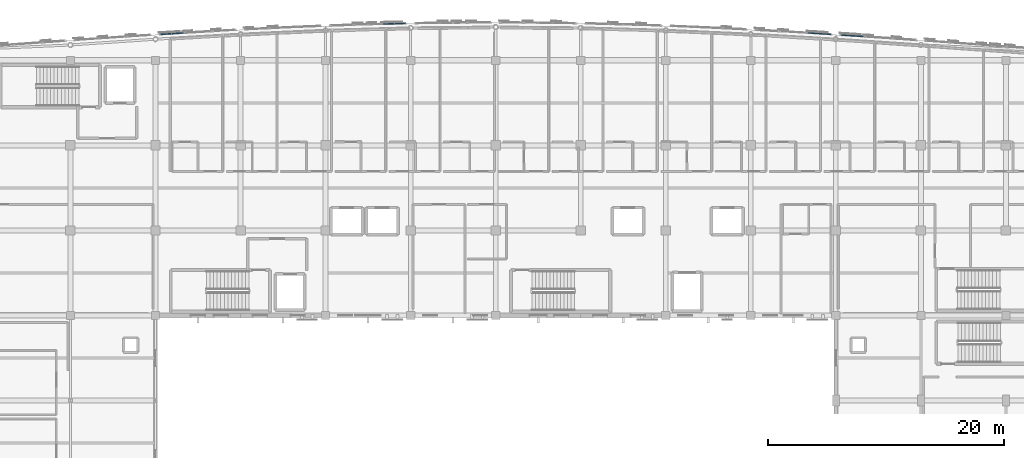
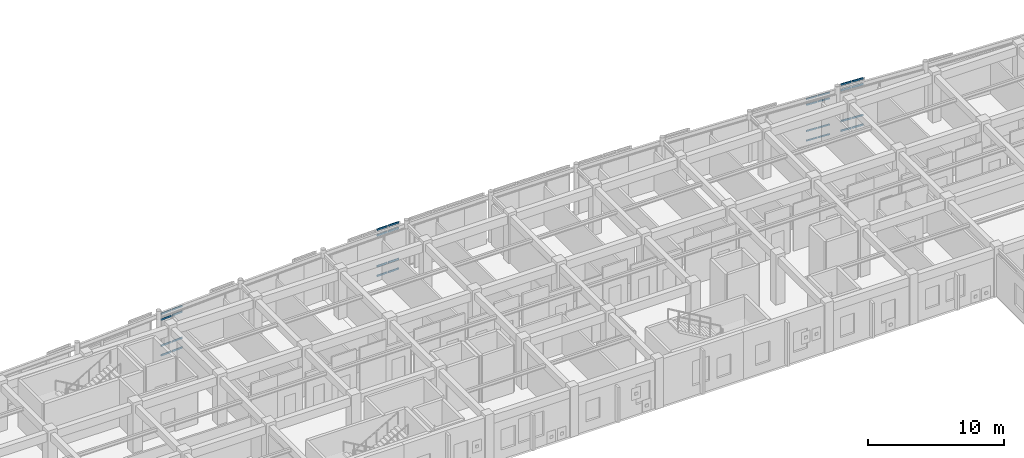
# One storey, part 57 of 106: 32 members, 4 elements without a shape of their own.
"""IFC4 building model written with IfcOpenShell, lengths in metres."""

from ifc_helpers import new_model, si_unit, direction, frame, origin, origin_2d, place, context, subcontext, project, spatial, hollow_rectangle, extrude, material, layer, layer_set, material_profile, profile_set, type_object, element, aggregate, save


model = new_model("IFC4")

# Units and contexts
model_context = context("Model", 3, precision=1e-05, world=origin(), true_north=direction((0.0, 1.0)))
body_context = subcontext(model_context, "Body", "Model", "MODEL_VIEW")
ifc_project = project(units=[si_unit("LENGTHUNIT", "METRE"), si_unit("AREAUNIT", "SQUARE_METRE"), si_unit("VOLUMEUNIT", "CUBIC_METRE"), si_unit("PLANEANGLEUNIT", "RADIAN"), si_unit("MASSUNIT", "GRAM", prefix="KILO")], contexts=[model_context])

# Site, building, storey
site_placement = place(None, origin())
site = spatial("IfcSite", under=ifc_project, at=site_placement, CompositionType="ELEMENT")
building_placement = place(site_placement, origin())
building = spatial("IfcBuilding", under=site, at=building_placement, Name="Carrowvane Square Congress Hotel", CompositionType="ELEMENT")
storey_placement = place(building_placement, frame((0.0, 0.0, 10.5)))
storey = spatial("IfcBuildingStorey", under=building, at=storey_placement, Name="L02", CompositionType="ELEMENT", Elevation=10.5)

# Curtain wall, members
ifc_material_1 = material(Name="Anodised aluminium", Category="aluminium")
ifc_layer_1 = layer(ifc_material_1, 0.23388671875)
ifc_layer_set_1 = layer_set([ifc_layer_1], Name="Anodised aluminium")
curtain_wall_type_1 = type_object("IfcCurtainWallType", Name="CW-SYS-7", PredefinedType="NOTDEFINED", material=ifc_layer_set_1)
curtain_wall_1_placement = place(storey_placement, origin())
curtain_wall_1 = element("IfcCurtainWall", 1, at=curtain_wall_1_placement, inside=storey, type_object=curtain_wall_type_1, Name="L02 unitised curtain wall 166", PredefinedType="NOTDEFINED")
ifc_material_2 = material(Name="Anodised aluminium", Category="aluminium")
ifc_material_profile_1 = material_profile(ifc_material_2, hollow_rectangle(XDim=0.06005859375, YDim=0.1298828125, WallThickness=0.00390625, at=origin_2d()), Name="CW-TR 60x130x4")
ifc_profile_set_1 = profile_set([ifc_material_profile_1], Name="Anodised aluminium")
member_type_1 = type_object("IfcMemberType", Name="CW-TRN-1", PredefinedType="USERDEFINED", material=ifc_profile_set_1)
member_1_placement = place(storey_placement, frame((124.4599609375, 115.720703125, 0.030029296875), z_axis=(0.998038282592, -0.062606600929, 0.0), x_axis=(0.062606600929, 0.998038282592, 0.0)))
member_1 = element("IfcMember", 2, at=member_1_placement, type_object=member_type_1, Name="CW-7 transom 1.1", ObjectType="TRANSOM", PredefinedType="USERDEFINED", context=body_context, shape_type="SweptSolid", body=[
    extrude(hollow_rectangle(XDim=0.06005859375, YDim=0.1298828125, WallThickness=0.00390625, at=origin_2d()), origin(), (0.0, 0.0, 1.0), 0.931884765625),
])
member_2_placement = place(storey_placement, frame((124.4599609375, 115.720703125, 0.89990234375), z_axis=(0.998038282592, -0.062606600929, 0.0), x_axis=(0.062606600929, 0.998038282592, 0.0)))
member_2 = element("IfcMember", 3, at=member_2_placement, type_object=member_type_1, Name="CW-7 transom 1.2", ObjectType="TRANSOM", PredefinedType="USERDEFINED", context=body_context, shape_type="SweptSolid", body=[
    extrude(hollow_rectangle(XDim=0.06005859375, YDim=0.1298828125, WallThickness=0.00390625, at=origin_2d()), origin(), (0.0, 0.0, 1.0), 0.931884765625),
])
member_3_placement = place(storey_placement, frame((124.4599609375, 115.720703125, 3.24560546875), z_axis=(0.998038282592, -0.062606600929, 0.0), x_axis=(0.062606600929, 0.998038282592, 0.0)))
member_3 = element("IfcMember", 4, at=member_3_placement, type_object=member_type_1, Name="CW-7 transom 1.3", ObjectType="TRANSOM", PredefinedType="USERDEFINED", context=body_context, shape_type="SweptSolid", body=[
    extrude(hollow_rectangle(XDim=0.06005859375, YDim=0.1298828125, WallThickness=0.00390625, at=origin_2d()), origin(), (0.0, 0.0, 1.0), 0.931884765625),
])
member_4_placement = place(storey_placement, frame((124.4599609375, 115.720703125, 3.765625), z_axis=(0.998038282592, -0.062606600929, 0.0), x_axis=(0.062606600929, 0.998038282592, 0.0)))
member_4 = element("IfcMember", 5, at=member_4_placement, type_object=member_type_1, Name="CW-7 transom 1.4", ObjectType="TRANSOM", PredefinedType="USERDEFINED", context=body_context, shape_type="SweptSolid", body=[
    extrude(hollow_rectangle(XDim=0.06005859375, YDim=0.1298828125, WallThickness=0.00390625, at=origin_2d()), origin(), (0.0, 0.0, 1.0), 0.931884765625),
])
member_5_placement = place(storey_placement, frame((125.449951171875, 115.65869140625, 0.030029296875), z_axis=(0.998054616523, -0.062345668959, 0.0), x_axis=(0.062345668959, 0.998054616523, 0.0)))
member_5 = element("IfcMember", 6, at=member_5_placement, type_object=member_type_1, Name="CW-7 transom 2.1", ObjectType="TRANSOM", PredefinedType="USERDEFINED", context=body_context, shape_type="SweptSolid", body=[
    extrude(hollow_rectangle(XDim=0.06005859375, YDim=0.1298828125, WallThickness=0.00390625, at=origin_2d()), origin(), (0.0, 0.0, 1.0), 0.931884765625),
])
member_6_placement = place(storey_placement, frame((125.449951171875, 115.65869140625, 0.89990234375), z_axis=(0.998054616523, -0.062345668959, 0.0), x_axis=(0.062345668959, 0.998054616523, 0.0)))
member_6 = element("IfcMember", 7, at=member_6_placement, type_object=member_type_1, Name="CW-7 transom 2.2", ObjectType="TRANSOM", PredefinedType="USERDEFINED", context=body_context, shape_type="SweptSolid", body=[
    extrude(hollow_rectangle(XDim=0.06005859375, YDim=0.1298828125, WallThickness=0.00390625, at=origin_2d()), origin(), (0.0, 0.0, 1.0), 0.931884765625),
])
member_7_placement = place(storey_placement, frame((125.449951171875, 115.65869140625, 3.24560546875), z_axis=(0.998054616523, -0.062345668959, 0.0), x_axis=(0.062345668959, 0.998054616523, 0.0)))
member_7 = element("IfcMember", 8, at=member_7_placement, type_object=member_type_1, Name="CW-7 transom 2.3", ObjectType="TRANSOM", PredefinedType="USERDEFINED", context=body_context, shape_type="SweptSolid", body=[
    extrude(hollow_rectangle(XDim=0.06005859375, YDim=0.1298828125, WallThickness=0.00390625, at=origin_2d()), origin(), (0.0, 0.0, 1.0), 0.931884765625),
])
member_8_placement = place(storey_placement, frame((125.449951171875, 115.65869140625, 3.765625), z_axis=(0.998054616523, -0.062345668959, 0.0), x_axis=(0.062345668959, 0.998054616523, 0.0)))
member_8 = element("IfcMember", 9, at=member_8_placement, type_object=member_type_1, Name="CW-7 transom 2.4", ObjectType="TRANSOM", PredefinedType="USERDEFINED", context=body_context, shape_type="SweptSolid", body=[
    extrude(hollow_rectangle(XDim=0.06005859375, YDim=0.1298828125, WallThickness=0.00390625, at=origin_2d()), origin(), (0.0, 0.0, 1.0), 0.931884765625),
])
aggregate(curtain_wall_1, [member_1, member_2, member_3, member_4, member_5, member_6, member_7, member_8])

ifc_material_3 = material(Name="Anodised aluminium", Category="aluminium")
ifc_layer_2 = layer(ifc_material_3, 0.24609375)
ifc_layer_set_2 = layer_set([ifc_layer_2], Name="Anodised aluminium")
curtain_wall_type_2 = type_object("IfcCurtainWallType", Name="CW-SYS-8", PredefinedType="NOTDEFINED", material=ifc_layer_set_2)
curtain_wall_2_placement = place(storey_placement, origin())
curtain_wall_2 = element("IfcCurtainWall", 10, at=curtain_wall_2_placement, inside=storey, type_object=curtain_wall_type_2, Name="L02 unitised curtain wall 143", PredefinedType="NOTDEFINED")
ifc_material_4 = material(Name="Anodised aluminium", Category="aluminium")
ifc_material_profile_2 = material_profile(ifc_material_4, hollow_rectangle(XDim=0.070068359375, YDim=0.14990234375, WallThickness=0.0048828125, at=origin_2d()), Name="CW-TR 70x150x5")
ifc_profile_set_2 = profile_set([ifc_material_profile_2], Name="Anodised aluminium")
member_type_2 = type_object("IfcMemberType", Name="CW-TRN-2", PredefinedType="USERDEFINED", material=ifc_profile_set_2)
member_9_placement = place(storey_placement, frame((69.6298828125, 115.60107421875, 0.034912109375), z_axis=(0.998041167403, 0.062560595983, 0.0), x_axis=(-0.062560595983, 0.998041167403, 0.0)))
member_9 = element("IfcMember", 11, at=member_9_placement, type_object=member_type_2, Name="CW-8 transom 1.1", ObjectType="TRANSOM", PredefinedType="USERDEFINED", context=body_context, shape_type="SweptSolid", body=[
    extrude(hollow_rectangle(XDim=0.070068359375, YDim=0.14990234375, WallThickness=0.0048828125, at=origin_2d()), origin(), (0.0, 0.0, 1.0), 0.9169921875),
])
member_10_placement = place(storey_placement, frame((69.6298828125, 115.60107421875, 0.89990234375), z_axis=(0.998041167403, 0.062560595983, 0.0), x_axis=(-0.062560595983, 0.998041167403, 0.0)))
member_10 = element("IfcMember", 12, at=member_10_placement, type_object=member_type_2, Name="CW-8 transom 1.2", ObjectType="TRANSOM", PredefinedType="USERDEFINED", context=body_context, shape_type="SweptSolid", body=[
    extrude(hollow_rectangle(XDim=0.070068359375, YDim=0.14990234375, WallThickness=0.0048828125, at=origin_2d()), origin(), (0.0, 0.0, 1.0), 0.9169921875),
])
member_11_placement = place(storey_placement, frame((69.6298828125, 115.60107421875, 3.24560546875), z_axis=(0.998041167403, 0.062560595983, 0.0), x_axis=(-0.062560595983, 0.998041167403, 0.0)))
member_11 = element("IfcMember", 13, at=member_11_placement, type_object=member_type_2, Name="CW-8 transom 1.3", ObjectType="TRANSOM", PredefinedType="USERDEFINED", context=body_context, shape_type="SweptSolid", body=[
    extrude(hollow_rectangle(XDim=0.070068359375, YDim=0.14990234375, WallThickness=0.0048828125, at=origin_2d()), origin(), (0.0, 0.0, 1.0), 0.9169921875),
])
member_12_placement = place(storey_placement, frame((69.6298828125, 115.60107421875, 3.760498046875), z_axis=(0.998041167403, 0.062560595983, 0.0), x_axis=(-0.062560595983, 0.998041167403, 0.0)))
member_12 = element("IfcMember", 14, at=member_12_placement, type_object=member_type_2, Name="CW-8 transom 1.4", ObjectType="TRANSOM", PredefinedType="USERDEFINED", context=body_context, shape_type="SweptSolid", body=[
    extrude(hollow_rectangle(XDim=0.070068359375, YDim=0.14990234375, WallThickness=0.0048828125, at=origin_2d()), origin(), (0.0, 0.0, 1.0), 0.9169921875),
])
member_13_placement = place(storey_placement, frame((70.614990234375, 115.662841796875, 0.034912109375), z_axis=(0.998056720879, 0.062311972435, 0.0), x_axis=(-0.062311972435, 0.998056720879, 0.0)))
member_13 = element("IfcMember", 15, at=member_13_placement, type_object=member_type_2, Name="CW-8 transom 2.1", ObjectType="TRANSOM", PredefinedType="USERDEFINED", context=body_context, shape_type="SweptSolid", body=[
    extrude(hollow_rectangle(XDim=0.070068359375, YDim=0.14990234375, WallThickness=0.0048828125, at=origin_2d()), origin(), (0.0, 0.0, 1.0), 0.916748046875),
])
member_14_placement = place(storey_placement, frame((70.614990234375, 115.662841796875, 0.89990234375), z_axis=(0.998056720879, 0.062311972435, 0.0), x_axis=(-0.062311972435, 0.998056720879, 0.0)))
member_14 = element("IfcMember", 16, at=member_14_placement, type_object=member_type_2, Name="CW-8 transom 2.2", ObjectType="TRANSOM", PredefinedType="USERDEFINED", context=body_context, shape_type="SweptSolid", body=[
    extrude(hollow_rectangle(XDim=0.070068359375, YDim=0.14990234375, WallThickness=0.0048828125, at=origin_2d()), origin(), (0.0, 0.0, 1.0), 0.916748046875),
])
member_15_placement = place(storey_placement, frame((70.614990234375, 115.662841796875, 3.24560546875), z_axis=(0.998056720879, 0.062311972435, 0.0), x_axis=(-0.062311972435, 0.998056720879, 0.0)))
member_15 = element("IfcMember", 17, at=member_15_placement, type_object=member_type_2, Name="CW-8 transom 2.3", ObjectType="TRANSOM", PredefinedType="USERDEFINED", context=body_context, shape_type="SweptSolid", body=[
    extrude(hollow_rectangle(XDim=0.070068359375, YDim=0.14990234375, WallThickness=0.0048828125, at=origin_2d()), origin(), (0.0, 0.0, 1.0), 0.916748046875),
])
member_16_placement = place(storey_placement, frame((70.614990234375, 115.662841796875, 3.760498046875), z_axis=(0.998056720879, 0.062311972435, 0.0), x_axis=(-0.062311972435, 0.998056720879, 0.0)))
member_16 = element("IfcMember", 18, at=member_16_placement, type_object=member_type_2, Name="CW-8 transom 2.4", ObjectType="TRANSOM", PredefinedType="USERDEFINED", context=body_context, shape_type="SweptSolid", body=[
    extrude(hollow_rectangle(XDim=0.070068359375, YDim=0.14990234375, WallThickness=0.0048828125, at=origin_2d()), origin(), (0.0, 0.0, 1.0), 0.916748046875),
])
aggregate(curtain_wall_2, [member_9, member_10, member_11, member_12, member_13, member_14, member_15, member_16])

curtain_wall_3_placement = place(storey_placement, origin())
curtain_wall_3 = element("IfcCurtainWall", 19, at=curtain_wall_3_placement, inside=storey, type_object=curtain_wall_type_2, Name="L02 unitised curtain wall 151", PredefinedType="NOTDEFINED")
member_17_placement = place(storey_placement, frame((88.469970703125, 116.477294921875, 0.034912109375), z_axis=(0.999746023727, 0.022536371529, 0.0), x_axis=(-0.022536371529, 0.999746023727, 0.0)))
member_17 = element("IfcMember", 20, at=member_17_placement, type_object=member_type_2, Name="CW-8 transom 1.1", ObjectType="TRANSOM", PredefinedType="USERDEFINED", context=body_context, shape_type="SweptSolid", body=[
    extrude(hollow_rectangle(XDim=0.070068359375, YDim=0.14990234375, WallThickness=0.0048828125, at=origin_2d()), origin(), (0.0, 0.0, 1.0), 0.899169921875),
])
member_18_placement = place(storey_placement, frame((88.469970703125, 116.477294921875, 0.89990234375), z_axis=(0.999746023727, 0.022536371529, 0.0), x_axis=(-0.022536371529, 0.999746023727, 0.0)))
member_18 = element("IfcMember", 21, at=member_18_placement, type_object=member_type_2, Name="CW-8 transom 1.2", ObjectType="TRANSOM", PredefinedType="USERDEFINED", context=body_context, shape_type="SweptSolid", body=[
    extrude(hollow_rectangle(XDim=0.070068359375, YDim=0.14990234375, WallThickness=0.0048828125, at=origin_2d()), origin(), (0.0, 0.0, 1.0), 0.899169921875),
])
member_19_placement = place(storey_placement, frame((88.469970703125, 116.477294921875, 3.669921875), z_axis=(0.999746023727, 0.022536371529, 0.0), x_axis=(-0.022536371529, 0.999746023727, 0.0)))
member_19 = element("IfcMember", 22, at=member_19_placement, type_object=member_type_2, Name="CW-8 transom 1.3", ObjectType="TRANSOM", PredefinedType="USERDEFINED", context=body_context, shape_type="SweptSolid", body=[
    extrude(hollow_rectangle(XDim=0.070068359375, YDim=0.14990234375, WallThickness=0.0048828125, at=origin_2d()), origin(), (0.0, 0.0, 1.0), 0.899169921875),
])
member_20_placement = place(storey_placement, frame((88.469970703125, 116.477294921875, 4.18505859375), z_axis=(0.999746023727, 0.022536371529, 0.0), x_axis=(-0.022536371529, 0.999746023727, 0.0)))
member_20 = element("IfcMember", 23, at=member_20_placement, type_object=member_type_2, Name="CW-8 transom 1.4", ObjectType="TRANSOM", PredefinedType="USERDEFINED", context=body_context, shape_type="SweptSolid", body=[
    extrude(hollow_rectangle(XDim=0.070068359375, YDim=0.14990234375, WallThickness=0.0048828125, at=origin_2d()), origin(), (0.0, 0.0, 1.0), 0.899169921875),
])
member_21_placement = place(storey_placement, frame((89.438720703125, 116.4990234375, 0.034912109375), z_axis=(0.999746023727, 0.022536371529, 0.0), x_axis=(-0.022536371529, 0.999746023727, 0.0)))
member_21 = element("IfcMember", 24, at=member_21_placement, type_object=member_type_2, Name="CW-8 transom 2.1", ObjectType="TRANSOM", PredefinedType="USERDEFINED", context=body_context, shape_type="SweptSolid", body=[
    extrude(hollow_rectangle(XDim=0.070068359375, YDim=0.14990234375, WallThickness=0.0048828125, at=origin_2d()), origin(), (0.0, 0.0, 1.0), 0.899169921875),
])
member_22_placement = place(storey_placement, frame((89.438720703125, 116.4990234375, 0.89990234375), z_axis=(0.999746023727, 0.022536371529, 0.0), x_axis=(-0.022536371529, 0.999746023727, 0.0)))
member_22 = element("IfcMember", 25, at=member_22_placement, type_object=member_type_2, Name="CW-8 transom 2.2", ObjectType="TRANSOM", PredefinedType="USERDEFINED", context=body_context, shape_type="SweptSolid", body=[
    extrude(hollow_rectangle(XDim=0.070068359375, YDim=0.14990234375, WallThickness=0.0048828125, at=origin_2d()), origin(), (0.0, 0.0, 1.0), 0.899169921875),
])
member_23_placement = place(storey_placement, frame((89.438720703125, 116.4990234375, 3.669921875), z_axis=(0.999746023727, 0.022536371529, 0.0), x_axis=(-0.022536371529, 0.999746023727, 0.0)))
member_23 = element("IfcMember", 26, at=member_23_placement, type_object=member_type_2, Name="CW-8 transom 2.3", ObjectType="TRANSOM", PredefinedType="USERDEFINED", context=body_context, shape_type="SweptSolid", body=[
    extrude(hollow_rectangle(XDim=0.070068359375, YDim=0.14990234375, WallThickness=0.0048828125, at=origin_2d()), origin(), (0.0, 0.0, 1.0), 0.899169921875),
])
member_24_placement = place(storey_placement, frame((89.438720703125, 116.4990234375, 4.18505859375), z_axis=(0.999746023727, 0.022536371529, 0.0), x_axis=(-0.022536371529, 0.999746023727, 0.0)))
member_24 = element("IfcMember", 27, at=member_24_placement, type_object=member_type_2, Name="CW-8 transom 2.4", ObjectType="TRANSOM", PredefinedType="USERDEFINED", context=body_context, shape_type="SweptSolid", body=[
    extrude(hollow_rectangle(XDim=0.070068359375, YDim=0.14990234375, WallThickness=0.0048828125, at=origin_2d()), origin(), (0.0, 0.0, 1.0), 0.899169921875),
])
aggregate(curtain_wall_3, [member_17, member_18, member_19, member_20, member_21, member_22, member_23, member_24])

curtain_wall_4_placement = place(storey_placement, origin())
curtain_wall_4 = element("IfcCurtainWall", 28, at=curtain_wall_4_placement, inside=storey, type_object=curtain_wall_type_2, Name="L02 unitised curtain wall 167", PredefinedType="NOTDEFINED")
member_25_placement = place(storey_placement, frame((127.2783203125, 115.54296875, 0.034912109375), z_axis=(0.997861922188, -0.065357358017, 0.0), x_axis=(0.065357358017, 0.997861922188, 0.0)))
member_25 = element("IfcMember", 29, at=member_25_placement, type_object=member_type_2, Name="CW-8 transom 1.1", ObjectType="TRANSOM", PredefinedType="USERDEFINED", context=body_context, shape_type="SweptSolid", body=[
    extrude(hollow_rectangle(XDim=0.070068359375, YDim=0.14990234375, WallThickness=0.0048828125, at=origin_2d()), origin(), (0.0, 0.0, 1.0), 0.892822265625),
])
member_26_placement = place(storey_placement, frame((127.2783203125, 115.54296875, 0.89990234375), z_axis=(0.997861922188, -0.065357358017, 0.0), x_axis=(0.065357358017, 0.997861922188, 0.0)))
member_26 = element("IfcMember", 30, at=member_26_placement, type_object=member_type_2, Name="CW-8 transom 1.2", ObjectType="TRANSOM", PredefinedType="USERDEFINED", context=body_context, shape_type="SweptSolid", body=[
    extrude(hollow_rectangle(XDim=0.070068359375, YDim=0.14990234375, WallThickness=0.0048828125, at=origin_2d()), origin(), (0.0, 0.0, 1.0), 0.892822265625),
])
member_27_placement = place(storey_placement, frame((127.2783203125, 115.54296875, 3.669921875), z_axis=(0.997861922188, -0.065357358017, 0.0), x_axis=(0.065357358017, 0.997861922188, 0.0)))
member_27 = element("IfcMember", 31, at=member_27_placement, type_object=member_type_2, Name="CW-8 transom 1.3", ObjectType="TRANSOM", PredefinedType="USERDEFINED", context=body_context, shape_type="SweptSolid", body=[
    extrude(hollow_rectangle(XDim=0.070068359375, YDim=0.14990234375, WallThickness=0.0048828125, at=origin_2d()), origin(), (0.0, 0.0, 1.0), 0.892822265625),
])
member_28_placement = place(storey_placement, frame((127.2783203125, 115.54296875, 4.18505859375), z_axis=(0.997861922188, -0.065357358017, 0.0), x_axis=(0.065357358017, 0.997861922188, 0.0)))
member_28 = element("IfcMember", 32, at=member_28_placement, type_object=member_type_2, Name="CW-8 transom 1.4", ObjectType="TRANSOM", PredefinedType="USERDEFINED", context=body_context, shape_type="SweptSolid", body=[
    extrude(hollow_rectangle(XDim=0.070068359375, YDim=0.14990234375, WallThickness=0.0048828125, at=origin_2d()), origin(), (0.0, 0.0, 1.0), 0.892822265625),
])
member_29_placement = place(storey_placement, frame((128.2392578125, 115.47998046875, 0.034912109375), z_axis=(0.997861922188, -0.065357358017, 0.0), x_axis=(0.065357358017, 0.997861922188, 0.0)))
member_29 = element("IfcMember", 33, at=member_29_placement, type_object=member_type_2, Name="CW-8 transom 2.1", ObjectType="TRANSOM", PredefinedType="USERDEFINED", context=body_context, shape_type="SweptSolid", body=[
    extrude(hollow_rectangle(XDim=0.070068359375, YDim=0.14990234375, WallThickness=0.0048828125, at=origin_2d()), origin(), (0.0, 0.0, 1.0), 0.892822265625),
])
member_30_placement = place(storey_placement, frame((128.2392578125, 115.47998046875, 0.89990234375), z_axis=(0.997861922188, -0.065357358017, 0.0), x_axis=(0.065357358017, 0.997861922188, 0.0)))
member_30 = element("IfcMember", 34, at=member_30_placement, type_object=member_type_2, Name="CW-8 transom 2.2", ObjectType="TRANSOM", PredefinedType="USERDEFINED", context=body_context, shape_type="SweptSolid", body=[
    extrude(hollow_rectangle(XDim=0.070068359375, YDim=0.14990234375, WallThickness=0.0048828125, at=origin_2d()), origin(), (0.0, 0.0, 1.0), 0.892822265625),
])
member_31_placement = place(storey_placement, frame((128.2392578125, 115.47998046875, 3.669921875), z_axis=(0.997861922188, -0.065357358017, 0.0), x_axis=(0.065357358017, 0.997861922188, 0.0)))
member_31 = element("IfcMember", 35, at=member_31_placement, type_object=member_type_2, Name="CW-8 transom 2.3", ObjectType="TRANSOM", PredefinedType="USERDEFINED", context=body_context, shape_type="SweptSolid", body=[
    extrude(hollow_rectangle(XDim=0.070068359375, YDim=0.14990234375, WallThickness=0.0048828125, at=origin_2d()), origin(), (0.0, 0.0, 1.0), 0.892822265625),
])
member_32_placement = place(storey_placement, frame((128.2392578125, 115.47998046875, 4.18505859375), z_axis=(0.997861922188, -0.065357358017, 0.0), x_axis=(0.065357358017, 0.997861922188, 0.0)))
member_32 = element("IfcMember", 36, at=member_32_placement, type_object=member_type_2, Name="CW-8 transom 2.4", ObjectType="TRANSOM", PredefinedType="USERDEFINED", context=body_context, shape_type="SweptSolid", body=[
    extrude(hollow_rectangle(XDim=0.070068359375, YDim=0.14990234375, WallThickness=0.0048828125, at=origin_2d()), origin(), (0.0, 0.0, 1.0), 0.892822265625),
])
aggregate(curtain_wall_4, [member_25, member_26, member_27, member_28, member_29, member_30, member_31, member_32])

save(model, "model.ifc")
